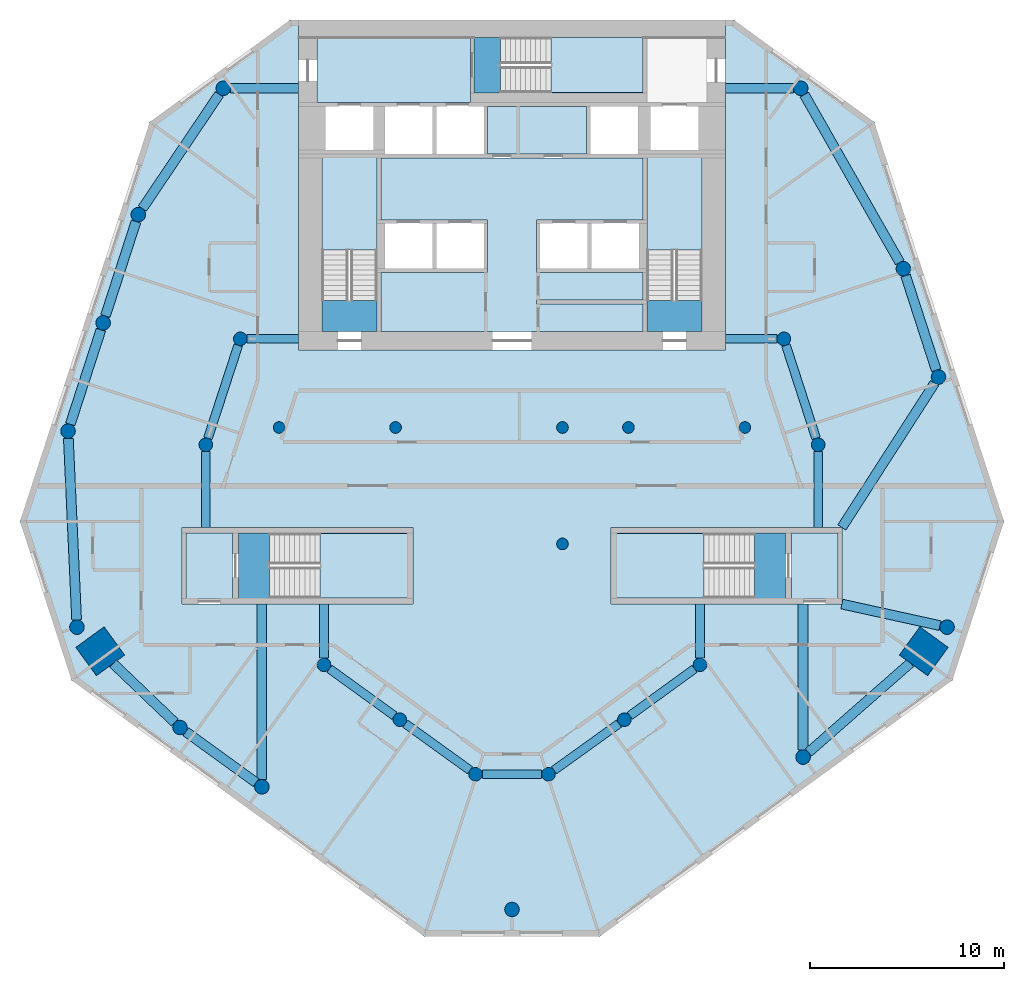
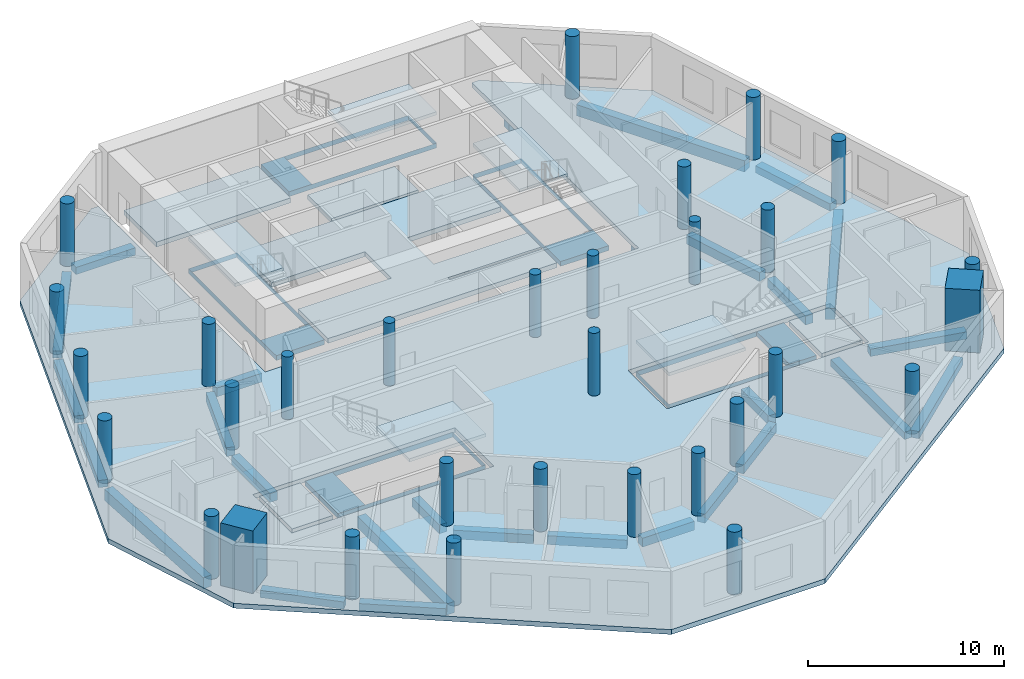
# One storey, part 1 of 9: 31 columns, 28 beams, 16 slabs, 5 elements without a shape of their own.
"""IFC4 building model written with IfcOpenShell, lengths in metres."""

from ifc_helpers import new_model, si_unit, direction, frame, origin, origin_2d, place, context, subcontext, project, spatial, polyline, rectangle, circle, outline, extrude, material, layer, layer_set, material_profile, profile_set, type_object, element, aggregate, save


model = new_model("IFC4")

# Units and contexts
model_context = context("Model", 3, precision=1e-05, world=origin(), true_north=direction((0.0, 1.0)))
body_context = subcontext(model_context, "Body", "Model", "MODEL_VIEW")
ifc_project = project(units=[si_unit("LENGTHUNIT", "METRE"), si_unit("AREAUNIT", "SQUARE_METRE"), si_unit("VOLUMEUNIT", "CUBIC_METRE"), si_unit("PLANEANGLEUNIT", "RADIAN"), si_unit("MASSUNIT", "GRAM", prefix="KILO")], contexts=[model_context])

# Site, building, storey
site_placement = place(None, origin())
site = spatial("IfcSite", under=ifc_project, at=site_placement, CompositionType="ELEMENT")
building_placement = place(site_placement, origin())
building = spatial("IfcBuilding", under=site, at=building_placement, Name="White Candle Pilgrim Tower", CompositionType="ELEMENT")
storey_placement = place(building_placement, frame((0.0, 0.0, 164.199951171875)))
storey = spatial("IfcBuildingStorey", under=building, at=storey_placement, Name="L37", CompositionType="ELEMENT", Elevation=164.199951171875)

# Columns
ifc_material_1 = material(Name="Concrete C70/85", Category="concrete")
ifc_material_profile_1 = material_profile(ifc_material_1, circle(Radius=0.300048828125, at=origin_2d()), Name="RC-COL D600")
ifc_profile_set_1 = profile_set([ifc_material_profile_1], Name="Concrete C70/85")
column_type_1 = type_object("IfcColumnType", Name="Interior column RC-COL D600 C70/85", PredefinedType="COLUMN", material=ifc_profile_set_1)
for number, where, z_axis, x_axis, name in (
    (1, (58.0, 67.0, 0.0), (0.0, 0.0, 1.0), (1.0, 0.0, 0.0), "L37 column I01"),
    (2, (64.0, 67.0, 0.0), (0.0, 0.0, 1.0), (1.0, 0.0, 0.0), "L37 column I02"),
    (3, (72.60009765625, 61.0, 0.0), (0.0, 0.0, 1.0), (1.0, 0.0, 0.0), "L37 column I03"),
    (4, (72.60009765625, 67.0, 0.0), (0.0, 0.0, 1.0), (1.0, 0.0, 0.0), "L37 column I04"),
    (5, (76.0, 67.0, 0.0), (0.0, 0.0, 1.0), (1.0, 0.0, 0.0), "L37 column I05"),
    (6, (82.0, 67.0, 0.0), (0.0, 0.0, 1.0), (1.0, 0.0, 0.0), "L37 column I06"),
):
    element("IfcColumn", number, at=place(storey_placement, frame(where, z_axis=z_axis, x_axis=x_axis)), inside=storey, type_object=column_type_1, Name=name, PredefinedType="COLUMN", context=body_context, shape_type="SweptSolid", body=[
        extrude(circle(Radius=0.300048828125, at=origin_2d()), origin(), (0.0, 0.0, 1.0), 3.900146484375),
    ])
ifc_material_profile_2 = material_profile(ifc_material_1, rectangle(XDim=1.800048828125, YDim=1.800048828125, at=origin_2d()), Name="RC 1800x1800")
ifc_profile_set_2 = profile_set([ifc_material_profile_2], Name="Concrete C70/85")
column_type_2 = type_object("IfcColumnType", Name="Mega column RC 1800x1800 C70/85", PredefinedType="COLUMN", material=ifc_profile_set_2)
for number, where, z_axis, x_axis, name in (
    (7, (48.780029296875, 55.469970703125, 0.0), (0.0, 0.0, 1.0), (-0.809016994375, -0.587785252292, 0.0), "L37 mega column T02"),
    (8, (91.219970703125, 55.469970703125, 0.0), (0.0, 0.0, 1.0), (0.809016994375, -0.587785252292, 0.0), "L37 mega column T07"),
):
    element("IfcColumn", number, at=place(storey_placement, frame(where, z_axis=z_axis, x_axis=x_axis)), inside=storey, type_object=column_type_2, Name=name, PredefinedType="COLUMN", context=body_context, shape_type="SweptSolid", body=[
        extrude(rectangle(XDim=1.800048828125, YDim=1.800048828125, at=origin_2d()), origin(), (0.0, 0.0, 1.0), 3.900146484375),
    ])
ifc_material_profile_3 = material_profile(ifc_material_1, circle(Radius=0.375, at=origin_2d()), Name="RC-COL D750")
ifc_profile_set_3 = profile_set([ifc_material_profile_3], Name="Concrete C70/85")
column_type_3 = type_object("IfcColumnType", Name="Perimeter column RC-COL D750 C70/85", PredefinedType="COLUMN", material=ifc_profile_set_3)
for number, where, z_axis, x_axis, name in (
    (9, (47.580078125, 56.7099609375, 0.0), (0.0, 0.0, 1.0), (1.0, 0.0, 0.0), "L37 column T01"),
    (10, (52.889892578125, 51.5400390625, 0.0), (0.0, 0.0, 1.0), (1.0, 0.0, 0.0), "L37 column T03"),
    (11, (57.110107421875, 48.47998046875, 0.0), (0.0, 0.0, 1.0), (1.0, 0.0, 0.0), "L37 column T04"),
    (12, (70.0, 42.159912109375, 0.0), (0.0, 0.0, 1.0), (1.0, 0.0, 0.0), "L37 column T05"),
    (13, (85.0, 50.010009765625, 0.0), (0.0, 0.0, 1.0), (1.0, 0.0, 0.0), "L37 column T06"),
    (14, (92.419921875, 56.7099609375, 0.0), (0.0, 0.0, 1.0), (1.0, 0.0, 0.0), "L37 column T08"),
    (15, (91.97998046875, 69.60009765625, 0.0), (0.0, 0.0, 1.0), (1.0, 0.0, 0.0), "L37 column T09"),
    (16, (90.169921875, 75.179931640625, 0.0), (0.0, 0.0, 1.0), (1.0, 0.0, 0.0), "L37 column T10"),
    (17, (84.8798828125, 84.47998046875, 0.0), (0.0, 0.0, 1.0), (1.0, 0.0, 0.0), "L37 column T11"),
    (18, (55.1201171875, 84.47998046875, 0.0), (0.0, 0.0, 1.0), (1.0, 0.0, 0.0), "L37 column T12"),
    (19, (50.739990234375, 77.969970703125, 0.0), (0.0, 0.0, 1.0), (1.0, 0.0, 0.0), "L37 column T13"),
    (20, (48.929931640625, 72.389892578125, 0.0), (0.0, 0.0, 1.0), (1.0, 0.0, 0.0), "L37 column T14"),
    (21, (47.1201171875, 66.81005859375, 0.0), (0.0, 0.0, 1.0), (1.0, 0.0, 0.0), "L37 column T15"),
):
    element("IfcColumn", number, at=place(storey_placement, frame(where, z_axis=z_axis, x_axis=x_axis)), inside=storey, type_object=column_type_3, Name=name, PredefinedType="COLUMN", context=body_context, shape_type="SweptSolid", body=[
        extrude(circle(Radius=0.375, at=origin_2d()), origin(), (0.0, 0.0, 1.0), 3.900146484375),
    ])
ifc_material_profile_4 = material_profile(ifc_material_1, circle(Radius=0.35009765625, at=origin_2d()), Name="RC-COL D700")
ifc_profile_set_4 = profile_set([ifc_material_profile_4], Name="Concrete C70/85")
column_type_4 = type_object("IfcColumnType", Name="Ring column RC-COL D700 C70/85", PredefinedType="COLUMN", material=ifc_profile_set_4)
for number, where, z_axis, x_axis, name in (
    (22, (60.31005859375, 54.77001953125, 0.0), (0.0, 0.0, 1.0), (1.0, 0.0, 0.0), "L37 column R01"),
    (23, (64.219970703125, 51.93994140625, 0.0), (0.0, 0.0, 1.0), (1.0, 0.0, 0.0), "L37 column R02"),
    (24, (68.1201171875, 49.1298828125, 0.0), (0.0, 0.0, 1.0), (1.0, 0.0, 0.0), "L37 column R03"),
    (25, (71.8798828125, 49.1298828125, 0.0), (0.0, 0.0, 1.0), (1.0, 0.0, 0.0), "L37 column R04"),
    (26, (75.7900390625, 51.93994140625, 0.0), (0.0, 0.0, 1.0), (1.0, 0.0, 0.0), "L37 column R05"),
    (27, (79.68994140625, 54.77001953125, 0.0), (0.0, 0.0, 1.0), (1.0, 0.0, 0.0), "L37 column R06"),
    (28, (85.780029296875, 66.110107421875, 0.0), (0.0, 0.0, 1.0), (1.0, 0.0, 0.0), "L37 column R07"),
    (29, (84.010009765625, 71.570068359375, 0.0), (0.0, 0.0, 1.0), (1.0, 0.0, 0.0), "L37 column R08"),
    (30, (56.0, 71.570068359375, 0.0), (0.0, 0.0, 1.0), (1.0, 0.0, 0.0), "L37 column R09"),
    (31, (54.219970703125, 66.110107421875, 0.0), (0.0, 0.0, 1.0), (1.0, 0.0, 0.0), "L37 column R10"),
):
    element("IfcColumn", number, at=place(storey_placement, frame(where, z_axis=z_axis, x_axis=x_axis)), inside=storey, type_object=column_type_4, Name=name, PredefinedType="COLUMN", context=body_context, shape_type="SweptSolid", body=[
        extrude(circle(Radius=0.35009765625, at=origin_2d()), origin(), (0.0, 0.0, 1.0), 3.900146484375),
    ])

# Beams
ifc_material_2 = material(Name="Concrete C50/60", Category="concrete")
ifc_material_profile_5 = material_profile(ifc_material_2, rectangle(XDim=0.449951171875, YDim=0.550048828125, at=origin_2d()), Name="RC-BM 450x550")
ifc_profile_set_5 = profile_set([ifc_material_profile_5], Name="Concrete C50/60")
beam_type_1 = type_object("IfcBeamType", Name="Ring beam RC-BM 450x550 C50/60", PredefinedType="BEAM", material=ifc_profile_set_5)
beam_1_placement = place(storey_placement, frame((60.593505859375, 54.56494140625, -0.574951171875), z_axis=(0.810043858436, -0.586369292691, 0.0), x_axis=(0.586369292691, 0.810043858436, 0.0)))
element("IfcBeam", 32, at=beam_1_placement, inside=storey, type_object=beam_type_1, Name="L37 ring beam R01", PredefinedType="BEAM", context=body_context, shape_type="SweptSolid", body=[
    extrude(rectangle(XDim=0.449951171875, YDim=0.550048828125, at=origin_2d()), origin(), (0.0, 0.0, 1.0), 4.126953125),
])
beam_2_placement = place(storey_placement, frame((64.50390625, 51.735595703125, -0.574951171875), z_axis=(0.811316688041, -0.584606903574, 0.0), x_axis=(0.584606903574, 0.811316688041, 0.0)))
element("IfcBeam", 33, at=beam_2_placement, inside=storey, type_object=beam_type_1, Name="L37 ring beam R02", PredefinedType="BEAM", context=body_context, shape_type="SweptSolid", body=[
    extrude(rectangle(XDim=0.449951171875, YDim=0.550048828125, at=origin_2d()), origin(), (0.0, 0.0, 1.0), 4.107177734375),
])
beam_3_placement = place(storey_placement, frame((68.469970703125, 49.1298828125, -0.574951171875), z_axis=(1.0, 0.0, 0.0), x_axis=(0.0, 1.0, 0.0)))
element("IfcBeam", 34, at=beam_3_placement, inside=storey, type_object=beam_type_1, Name="L37 ring beam R03", PredefinedType="BEAM", context=body_context, shape_type="SweptSolid", body=[
    extrude(rectangle(XDim=0.449951171875, YDim=0.550048828125, at=origin_2d()), origin(), (0.0, 0.0, 1.0), 3.06005859375),
])
beam_4_placement = place(storey_placement, frame((72.1640625, 49.333984375, -0.574951171875), z_axis=(0.812022399974, 0.583626269063, 0.0), x_axis=(-0.583626269063, 0.812022399974, 0.0)))
element("IfcBeam", 35, at=beam_4_placement, inside=storey, type_object=beam_type_1, Name="L37 ring beam R04", PredefinedType="BEAM", context=body_context, shape_type="SweptSolid", body=[
    extrude(rectangle(XDim=0.449951171875, YDim=0.550048828125, at=origin_2d()), origin(), (0.0, 0.0, 1.0), 4.115478515625),
])
beam_5_placement = place(storey_placement, frame((76.072998046875, 52.1455078125, -0.574951171875), z_axis=(0.809401961177, 0.587255025728, 0.0), x_axis=(-0.587255025728, 0.809401961177, 0.0)))
element("IfcBeam", 36, at=beam_5_placement, inside=storey, type_object=beam_type_1, Name="L37 ring beam R05", PredefinedType="BEAM", context=body_context, shape_type="SweptSolid", body=[
    extrude(rectangle(XDim=0.449951171875, YDim=0.550048828125, at=origin_2d()), origin(), (0.0, 0.0, 1.0), 4.119140625),
])
beam_6_placement = place(storey_placement, frame((79.68994140625, 55.1201171875, -0.574951171875), z_axis=(0.0, 1.0, 0.0), x_axis=(-1.0, 0.0, 0.0)))
element("IfcBeam", 37, at=beam_6_placement, inside=storey, type_object=beam_type_1, Name="L37 ring beam R06", PredefinedType="BEAM", context=body_context, shape_type="SweptSolid", body=[
    extrude(rectangle(XDim=0.449951171875, YDim=0.550048828125, at=origin_2d()), origin(), (0.0, 0.0, 1.0), 2.77978515625),
])
beam_7_placement = place(storey_placement, frame((85.780029296875, 65.760009765625, -0.574951171875), z_axis=(0.0, -1.0, 0.0), x_axis=(1.0, 0.0, 0.0)))
element("IfcBeam", 38, at=beam_7_placement, inside=storey, type_object=beam_type_1, Name="L37 ring beam R07", PredefinedType="BEAM", context=body_context, shape_type="SweptSolid", body=[
    extrude(rectangle(XDim=0.449951171875, YDim=0.550048828125, at=origin_2d()), origin(), (0.0, 0.0, 1.0), 3.909912109375),
])
beam_8_placement = place(storey_placement, frame((85.672119140625, 66.44287109375, -0.574951171875), z_axis=(-0.308369651752, 0.95126660715, 0.0), x_axis=(-0.95126660715, -0.308369651752, 0.0)))
element("IfcBeam", 39, at=beam_8_placement, inside=storey, type_object=beam_type_1, Name="L37 ring beam R08", PredefinedType="BEAM", context=body_context, shape_type="SweptSolid", body=[
    extrude(rectangle(XDim=0.449951171875, YDim=0.550048828125, at=origin_2d()), origin(), (0.0, 0.0, 1.0), 5.0400390625),
])
beam_9_placement = place(storey_placement, frame((83.659912109375, 71.570068359375, -0.574951171875), z_axis=(-1.0, 0.0, 0.0), x_axis=(0.0, -1.0, 0.0)))
element("IfcBeam", 40, at=beam_9_placement, inside=storey, type_object=beam_type_1, Name="L37 ring beam R09", PredefinedType="BEAM", context=body_context, shape_type="SweptSolid", body=[
    extrude(rectangle(XDim=0.449951171875, YDim=0.550048828125, at=origin_2d()), origin(), (0.0, 0.0, 1.0), 2.659912109375),
])
beam_10_placement = place(storey_placement, frame((56.35009765625, 71.570068359375, -0.574951171875), z_axis=(1.0, 0.0, 0.0), x_axis=(0.0, 1.0, 0.0)))
element("IfcBeam", 41, at=beam_10_placement, inside=storey, type_object=beam_type_1, Name="L37 ring beam R10", PredefinedType="BEAM", context=body_context, shape_type="SweptSolid", body=[
    extrude(rectangle(XDim=0.449951171875, YDim=0.550048828125, at=origin_2d()), origin(), (0.0, 0.0, 1.0), 2.64990234375),
])
beam_11_placement = place(storey_placement, frame((55.8916015625, 71.2373046875, -0.574951171875), z_axis=(-0.309975890104, -0.950744417577, 0.0), x_axis=(0.950744417577, -0.309975890104, 0.0)))
element("IfcBeam", 42, at=beam_11_placement, inside=storey, type_object=beam_type_1, Name="L37 ring beam R11", PredefinedType="BEAM", context=body_context, shape_type="SweptSolid", body=[
    extrude(rectangle(XDim=0.449951171875, YDim=0.550048828125, at=origin_2d()), origin(), (0.0, 0.0, 1.0), 5.04296875),
])
beam_12_placement = place(storey_placement, frame((54.219970703125, 65.760009765625, -0.574951171875), z_axis=(0.0, -1.0, 0.0), x_axis=(1.0, 0.0, 0.0)))
element("IfcBeam", 43, at=beam_12_placement, inside=storey, type_object=beam_type_1, Name="L37 ring beam R12", PredefinedType="BEAM", context=body_context, shape_type="SweptSolid", body=[
    extrude(rectangle(XDim=0.449951171875, YDim=0.550048828125, at=origin_2d()), origin(), (0.0, 0.0, 1.0), 3.909912109375),
])
beam_13_placement = place(storey_placement, frame((60.31005859375, 55.1201171875, -0.574951171875), z_axis=(0.0, 1.0, 0.0), x_axis=(-1.0, 0.0, 0.0)))
element("IfcBeam", 44, at=beam_13_placement, inside=storey, type_object=beam_type_1, Name="L37 ring beam R13", PredefinedType="BEAM", context=body_context, shape_type="SweptSolid", body=[
    extrude(rectangle(XDim=0.449951171875, YDim=0.550048828125, at=origin_2d()), origin(), (0.0, 0.0, 1.0), 2.77978515625),
])
ifc_material_profile_6 = material_profile(ifc_material_2, rectangle(XDim=0.5, YDim=0.449951171875, at=origin_2d()), Name="RC-BM 500x450")
ifc_profile_set_6 = profile_set([ifc_material_profile_6], Name="Concrete C50/60")
beam_type_2 = type_object("IfcBeamType", Name="Spandrel beam RC-BM 500x450 C50/60", PredefinedType="BEAM", material=ifc_profile_set_6)
beam_14_placement = place(storey_placement, frame((49.441162109375, 54.837890625, -0.52490234375), z_axis=(0.722753991569, -0.691105395487, 0.0), x_axis=(0.691105395487, 0.722753991569, 0.0)))
element("IfcBeam", 45, at=beam_14_placement, inside=storey, type_object=beam_type_2, Name="L37 spandrel beam T01", PredefinedType="BEAM", context=body_context, shape_type="SweptSolid", body=[
    extrude(rectangle(XDim=0.5, YDim=0.449951171875, at=origin_2d()), origin(), (0.0, 0.0, 1.0), 4.39697265625),
])
beam_15_placement = place(storey_placement, frame((53.193359375, 51.320068359375, -0.52490234375), z_axis=(0.809558451789, -0.587039277338, 0.0), x_axis=(0.587039277338, 0.809558451789, 0.0)))
element("IfcBeam", 46, at=beam_15_placement, inside=storey, type_object=beam_type_2, Name="L37 spandrel beam T02", PredefinedType="BEAM", context=body_context, shape_type="SweptSolid", body=[
    extrude(rectangle(XDim=0.5, YDim=0.449951171875, at=origin_2d()), origin(), (0.0, 0.0, 1.0), 4.46337890625),
])
beam_16_placement = place(storey_placement, frame((85.0, 50.385009765625, -0.52490234375), z_axis=(0.0, 1.0, 0.0), x_axis=(-1.0, 0.0, 0.0)))
element("IfcBeam", 47, at=beam_16_placement, inside=storey, type_object=beam_type_2, Name="L37 spandrel beam T04", PredefinedType="BEAM", context=body_context, shape_type="SweptSolid", body=[
    extrude(rectangle(XDim=0.5, YDim=0.449951171875, at=origin_2d()), origin(), (0.0, 0.0, 1.0), 7.514892578125),
])
beam_17_placement = place(storey_placement, frame((85.28173828125, 50.25732421875, -0.52490234375), z_axis=(0.751529055224, 0.65969999178, 0.0), x_axis=(-0.65969999178, 0.751529055224, 0.0)))
element("IfcBeam", 48, at=beam_17_placement, inside=storey, type_object=beam_type_2, Name="L37 spandrel beam T05", PredefinedType="BEAM", context=body_context, shape_type="SweptSolid", body=[
    extrude(rectangle(XDim=0.5, YDim=0.449951171875, at=origin_2d()), origin(), (0.0, 0.0, 1.0), 6.97900390625),
])
beam_18_placement = place(storey_placement, frame((92.053955078125, 56.790283203125, -0.52490234375), z_axis=(-0.976735666267, 0.214446819148, 0.0), x_axis=(-0.214446819148, -0.976735666267, 0.0)))
element("IfcBeam", 49, at=beam_18_placement, inside=storey, type_object=beam_type_2, Name="L37 spandrel beam T06", PredefinedType="BEAM", context=body_context, shape_type="SweptSolid", body=[
    extrude(rectangle(XDim=0.5, YDim=0.449951171875, at=origin_2d()), origin(), (0.0, 0.0, 1.0), 5.17431640625),
])
beam_19_placement = place(storey_placement, frame((91.8642578125, 69.95654296875, -0.52490234375), z_axis=(-0.308530369215, 0.951214492779, 0.0), x_axis=(-0.951214492779, -0.308530369215, 0.0)))
element("IfcBeam", 50, at=beam_19_placement, inside=storey, type_object=beam_type_2, Name="L37 spandrel beam T08", PredefinedType="BEAM", context=body_context, shape_type="SweptSolid", body=[
    extrude(rectangle(XDim=0.5, YDim=0.449951171875, at=origin_2d()), origin(), (0.0, 0.0, 1.0), 5.116455078125),
])
for number, where, z_axis, x_axis, name in (
    (51, (84.5048828125, 84.47998046875, -0.52490234375), (-1.0, 0.0, 0.0), (0.0, -1.0, 0.0), "L37 spandrel beam T10"),
    (52, (55.4951171875, 84.47998046875, -0.52490234375), (1.0, 0.0, 0.0), (0.0, 1.0, 0.0), "L37 spandrel beam T11"),
):
    element("IfcBeam", number, at=place(storey_placement, frame(where, z_axis=z_axis, x_axis=x_axis)), inside=storey, type_object=beam_type_2, Name=name, PredefinedType="BEAM", context=body_context, shape_type="SweptSolid", body=[
        extrude(rectangle(XDim=0.5, YDim=0.449951171875, at=origin_2d()), origin(), (0.0, 0.0, 1.0), 3.5048828125),
    ])
beam_20_placement = place(storey_placement, frame((54.91064453125, 84.1689453125, -0.52490234375), z_axis=(-0.55822018442, -0.82969285022, 0.0), x_axis=(0.82969285022, -0.55822018442, 0.0)))
element("IfcBeam", 53, at=beam_20_placement, inside=storey, type_object=beam_type_2, Name="L37 spandrel beam T12", PredefinedType="BEAM", context=body_context, shape_type="SweptSolid", body=[
    extrude(rectangle(XDim=0.5, YDim=0.449951171875, at=origin_2d()), origin(), (0.0, 0.0, 1.0), 7.096435546875),
])
beam_21_placement = place(storey_placement, frame((50.624267578125, 77.61328125, -0.52490234375), z_axis=(-0.308544373382, -0.951209950355, 0.0), x_axis=(0.951209950355, -0.308544373382, 0.0)))
element("IfcBeam", 54, at=beam_21_placement, inside=storey, type_object=beam_type_2, Name="L37 spandrel beam T13", PredefinedType="BEAM", context=body_context, shape_type="SweptSolid", body=[
    extrude(rectangle(XDim=0.5, YDim=0.449951171875, at=origin_2d()), origin(), (0.0, 0.0, 1.0), 5.1162109375),
])
beam_22_placement = place(storey_placement, frame((48.814208984375, 72.033447265625, -0.52490234375), z_axis=(-0.308530369215, -0.951214492779, 0.0), x_axis=(0.951214492779, -0.308530369215, 0.0)))
element("IfcBeam", 55, at=beam_22_placement, inside=storey, type_object=beam_type_2, Name="L37 spandrel beam T14", PredefinedType="BEAM", context=body_context, shape_type="SweptSolid", body=[
    extrude(rectangle(XDim=0.5, YDim=0.449951171875, at=origin_2d()), origin(), (0.0, 0.0, 1.0), 5.116455078125),
])
ifc_material_profile_7 = material_profile(ifc_material_2, rectangle(XDim=0.5, YDim=0.699951171875, at=origin_2d()), Name="RC-BM 500x700")
ifc_profile_set_7 = profile_set([ifc_material_profile_7], Name="Concrete C50/60")
beam_type_3 = type_object("IfcBeamType", Name="Spandrel beam RC-BM 500x700 C50/60", PredefinedType="BEAM", material=ifc_profile_set_7)
beam_23_placement = place(storey_placement, frame((57.110107421875, 48.85498046875, -0.64990234375), z_axis=(0.0, 1.0, 0.0), x_axis=(-1.0, 0.0, 0.0)))
element("IfcBeam", 56, at=beam_23_placement, inside=storey, type_object=beam_type_3, Name="L37 spandrel beam T03", PredefinedType="BEAM", context=body_context, shape_type="SweptSolid", body=[
    extrude(rectangle(XDim=0.5, YDim=0.699951171875, at=origin_2d()), origin(), (0.0, 0.0, 1.0), 9.044921875),
])
beam_24_placement = place(storey_placement, frame((91.77734375, 69.28466796875, -0.64990234375), z_axis=(-0.540595612128, -0.841282582815, 0.0), x_axis=(0.841282582815, -0.540595612128, 0.0)))
element("IfcBeam", 57, at=beam_24_placement, inside=storey, type_object=beam_type_3, Name="L37 spandrel beam T07", PredefinedType="BEAM", context=body_context, shape_type="SweptSolid", body=[
    extrude(rectangle(XDim=0.5, YDim=0.699951171875, at=origin_2d()), origin(), (0.0, 0.0, 1.0), 8.837158203125),
])
beam_25_placement = place(storey_placement, frame((89.984619140625, 75.505859375, -0.64990234375), z_axis=(-0.494422929515, 0.869221471646, 0.0), x_axis=(-0.869221471646, -0.494422929515, 0.0)))
element("IfcBeam", 58, at=beam_25_placement, inside=storey, type_object=beam_type_3, Name="L37 spandrel beam T09", PredefinedType="BEAM", context=body_context, shape_type="SweptSolid", body=[
    extrude(rectangle(XDim=0.5, YDim=0.699951171875, at=origin_2d()), origin(), (0.0, 0.0, 1.0), 9.949462890625),
])
beam_26_placement = place(storey_placement, frame((47.13720703125, 66.435546875, -0.64990234375), z_axis=(0.045485743277, -0.998964987954, 0.0), x_axis=(0.998964987954, 0.045485743277, 0.0)))
element("IfcBeam", 59, at=beam_26_placement, inside=storey, type_object=beam_type_3, Name="L37 spandrel beam T15", PredefinedType="BEAM", context=body_context, shape_type="SweptSolid", body=[
    extrude(rectangle(XDim=0.5, YDim=0.699951171875, at=origin_2d()), origin(), (0.0, 0.0, 1.0), 9.36083984375),
])

# Slabs
ifc_material_3 = material(Name="Concrete C40/50", Category="concrete")
ifc_layer_1 = layer(ifc_material_3, 0.300048828125)
ifc_layer_set_1 = layer_set([ifc_layer_1], Name="Core floor slab 300 mm Concrete C40/50")
slab_type_1 = type_object("IfcSlabType", Name="Core floor slab 300 mm Concrete C40/50", PredefinedType="FLOOR", material=ifc_layer_set_1)
slab_1_placement = place(storey_placement, frame((0.0, 0.0, -0.300048828125)))
element("IfcSlab", 60, at=slab_1_placement, inside=storey, type_object=slab_type_1, Name="CF-L37-01", PredefinedType="FLOOR", context=body_context, shape_type="SweptSolid", body=[
    extrude(outline(polyline([(55.60009765625, 58.199951171875), (53.199951171875, 58.199951171875), (53.199951171875, 61.550048828125), (55.60009765625, 61.550048828125), (55.60009765625, 58.199951171875)])), origin(), (0.0, 0.0, 1.0), 0.300048828125),
])
slab_2_placement = place(storey_placement, frame((0.0, 0.0, -0.300048828125)))
element("IfcSlab", 61, at=slab_2_placement, inside=storey, type_object=slab_type_1, Name="CF-L37-02", PredefinedType="FLOOR", context=body_context, shape_type="SweptSolid", body=[
    extrude(outline(polyline([(55.89990234375, 58.199951171875), (55.89990234375, 61.550048828125), (64.60009765625, 61.550048828125), (64.60009765625, 58.199951171875), (55.89990234375, 58.199951171875)]), holes=[polyline([(57.501953125, 61.548095703125), (57.501953125, 58.201904296875), (64.597900390625, 58.201904296875), (64.597900390625, 61.548095703125), (57.501953125, 61.548095703125)])]), origin(), (0.0, 0.0, 1.0), 0.300048828125),
])
slab_3_placement = place(storey_placement, frame((0.0, 0.0, -0.300048828125)))
element("IfcSlab", 62, at=slab_3_placement, inside=storey, type_object=slab_type_1, Name="CF-L37-03", PredefinedType="FLOOR", context=body_context, shape_type="SweptSolid", body=[
    extrude(outline(polyline([(75.39990234375, 58.199951171875), (75.39990234375, 61.550048828125), (84.10009765625, 61.550048828125), (84.10009765625, 58.199951171875), (75.39990234375, 58.199951171875)]), holes=[polyline([(82.498046875, 58.201904296875), (82.498046875, 61.548095703125), (75.402099609375, 61.548095703125), (75.402099609375, 58.201904296875), (82.498046875, 58.201904296875)])]), origin(), (0.0, 0.0, 1.0), 0.300048828125),
])
slab_4_placement = place(storey_placement, frame((0.0, 0.0, -0.300048828125)))
element("IfcSlab", 63, at=slab_4_placement, inside=storey, type_object=slab_type_1, Name="CF-L37-04", PredefinedType="FLOOR", context=body_context, shape_type="SweptSolid", body=[
    extrude(outline(polyline([(86.800048828125, 58.199951171875), (84.39990234375, 58.199951171875), (84.39990234375, 61.550048828125), (86.800048828125, 61.550048828125), (86.800048828125, 58.199951171875)])), origin(), (0.0, 0.0, 1.0), 0.300048828125),
])
slab_5_placement = place(storey_placement, frame((0.0, 0.0, -0.300048828125)))
element("IfcSlab", 64, at=slab_5_placement, inside=storey, type_object=slab_type_1, Name="CF-L37-05", PredefinedType="FLOOR", context=body_context, shape_type="SweptSolid", body=[
    extrude(outline(polyline([(76.75, 87.10009765625), (76.75, 87.050048828125), (76.75, 84.25), (68.050048828125, 84.25), (68.050048828125, 87.050048828125), (68.050048828125, 87.10009765625), (76.75, 87.10009765625)]), holes=[polyline([(69.402099609375, 87.097900390625), (69.402099609375, 84.251953125), (76.748046875, 84.251953125), (76.748046875, 87.097900390625), (69.402099609375, 87.097900390625)])]), origin(), (0.0, 0.0, 1.0), 0.300048828125),
])
slab_6_placement = place(storey_placement, frame((0.0, 0.0, -0.300048828125)))
element("IfcSlab", 65, at=slab_6_placement, inside=storey, type_object=slab_type_1, Name="CF-L37-07", PredefinedType="FLOOR", context=body_context, shape_type="SweptSolid", body=[
    extrude(outline(polyline([(76.949951171875, 71.949951171875), (76.949951171875, 73.375), (76.949951171875, 73.574951171875), (76.949951171875, 75.0), (76.949951171875, 75.199951171875), (76.949951171875, 77.5), (76.949951171875, 77.699951171875), (76.949951171875, 80.89990234375), (79.800048828125, 80.89990234375), (79.800048828125, 71.949951171875), (76.949951171875, 71.949951171875)]), holes=[polyline([(76.951904296875, 73.552001953125), (79.798095703125, 73.552001953125), (79.798095703125, 80.89794921875), (76.951904296875, 80.89794921875), (76.951904296875, 73.552001953125)])]), origin(), (0.0, 0.0, 1.0), 0.300048828125),
])
slab_7_placement = place(storey_placement, frame((0.0, 0.0, -0.300048828125)))
element("IfcSlab", 66, at=slab_7_placement, inside=storey, type_object=slab_type_1, Name="CF-L37-08", PredefinedType="FLOOR", context=body_context, shape_type="SweptSolid", body=[
    extrude(outline(polyline([(63.25, 71.949951171875), (63.25, 75.0), (68.75, 75.0), (68.75, 75.199951171875), (68.75, 77.5), (68.75, 77.699951171875), (63.25, 77.699951171875), (63.25, 80.89990234375), (76.75, 80.89990234375), (76.75, 77.699951171875), (71.25, 77.699951171875), (71.25, 77.5), (71.25, 75.199951171875), (71.25, 75.0), (76.75, 75.0), (76.75, 73.574951171875), (71.25, 73.574951171875), (71.25, 73.375), (76.75, 73.375), (76.75, 71.949951171875), (63.25, 71.949951171875)])), origin(), (0.0, 0.0, 1.0), 0.300048828125),
])
slab_8_placement = place(storey_placement, frame((0.0, 0.0, -0.300048828125)))
element("IfcSlab", 67, at=slab_8_placement, inside=storey, type_object=slab_type_1, Name="CF-L37-09", PredefinedType="FLOOR", context=body_context, shape_type="SweptSolid", body=[
    extrude(outline(polyline([(60.199951171875, 71.949951171875), (60.199951171875, 80.89990234375), (63.050048828125, 80.89990234375), (63.050048828125, 77.699951171875), (63.050048828125, 77.5), (63.050048828125, 75.199951171875), (63.050048828125, 75.0), (63.050048828125, 71.949951171875), (60.199951171875, 71.949951171875)]), holes=[polyline([(60.201904296875, 73.552001953125), (63.048095703125, 73.552001953125), (63.048095703125, 80.89794921875), (60.201904296875, 80.89794921875), (60.201904296875, 73.552001953125)])]), origin(), (0.0, 0.0, 1.0), 0.300048828125),
])
slab_9_placement = place(storey_placement, frame((0.0, 0.0, -0.300048828125)))
element("IfcSlab", 68, at=slab_9_placement, inside=storey, type_object=slab_type_1, Name="CF-L37-10", PredefinedType="FLOOR", context=body_context, shape_type="SweptSolid", body=[
    extrude(outline(polyline([(59.949951171875, 87.050048828125), (67.85009765625, 87.050048828125), (67.85009765625, 84.25), (67.85009765625, 83.75), (59.949951171875, 83.75), (59.949951171875, 87.050048828125)])), origin(), (0.0, 0.0, 1.0), 0.300048828125),
])
slab_10_placement = place(storey_placement, frame((0.0, 0.0, -0.300048828125)))
element("IfcSlab", 69, at=slab_10_placement, inside=storey, type_object=slab_type_1, Name="CF-L37-11", PredefinedType="FLOOR", context=body_context, shape_type="SweptSolid", body=[
    extrude(outline(polyline([(73.85009765625, 83.550048828125), (73.85009765625, 81.10009765625), (68.75, 81.10009765625), (68.75, 83.550048828125), (73.85009765625, 83.550048828125)])), origin(), (0.0, 0.0, 1.0), 0.300048828125),
])
ifc_layer_2 = layer(ifc_material_3, 0.300048828125)
ifc_layer_set_2 = layer_set([ifc_layer_2], Name="Floor slab 300 REI 120")
slab_type_2 = type_object("IfcSlabType", Name="Floor slab 300 REI 120", PredefinedType="FLOOR", material=ifc_layer_set_2)
slab_11_placement = place(storey_placement, frame((0.0, 0.0, -0.300048828125)))
element("IfcSlab", 70, at=slab_11_placement, inside=storey, type_object=slab_type_2, Name="L37 floor slab", PredefinedType="FLOOR", context=body_context, shape_type="SweptSolid", body=[
    extrude(outline(polyline([(65.47265625, 40.772216796875), (74.52734375, 40.772216796875), (92.6953125, 53.97216796875), (95.355224609375, 62.158447265625), (88.6650390625, 82.74853515625), (81.43701171875, 88.0), (81.0, 88.0), (81.0, 71.0), (59.0, 71.0), (59.0, 88.0), (58.56298828125, 88.0), (51.3349609375, 82.74853515625), (44.644775390625, 62.158447265625), (47.3046875, 53.97216796875), (65.47265625, 40.772216796875)]), holes=[polyline([(53.0, 57.89990234375), (53.0, 61.85009765625), (64.89990234375, 61.85009765625), (64.89990234375, 57.89990234375), (53.0, 57.89990234375)]), polyline([(75.10009765625, 57.89990234375), (75.10009765625, 61.85009765625), (87.0, 61.85009765625), (87.0, 57.89990234375), (75.10009765625, 57.89990234375)])]), origin(), (0.0, 0.0, 1.0), 0.300048828125),
])

# Stair, slab
stair_type_1 = type_object("IfcStairType", Name="Exit stair 1 flight width 1350 mm", PredefinedType="HALF_TURN_STAIR", material=ifc_material_3)
stair_1_placement = place(storey_placement, origin())
stair_1 = element("IfcStair", 71, at=stair_1_placement, inside=storey, type_object=stair_type_1, Name="L37 stair 1", PredefinedType="NOTDEFINED")
ifc_layer_3 = layer(ifc_material_3, 0.199951171875)
ifc_layer_set_3 = layer_set([ifc_layer_3], Name="Stair landing Concrete C40/50")
slab_type_3 = type_object("IfcSlabType", Name="Stair landing Concrete C40/50", PredefinedType="LANDING", material=ifc_layer_set_3)
slab_12_placement = place(storey_placement, frame((0.0, 0.0, 1.75)))
slab_12 = element("IfcSlab", 72, at=slab_12_placement, type_object=slab_type_3, Name="ST1 landing 1", PredefinedType="LANDING", context=body_context, shape_type="SweptSolid", body=[
    extrude(outline(polyline([(63.052001953125, 76.14794921875), (60.197998046875, 76.14794921875), (60.197998046875, 80.902099609375), (63.052001953125, 80.902099609375), (63.052001953125, 76.14794921875)])), origin(), (0.0, 0.0, 1.0), 0.199951171875),
])
aggregate(stair_1, [slab_12])

stair_type_2 = type_object("IfcStairType", Name="Exit stair 2 flight width 1350 mm", PredefinedType="HALF_TURN_STAIR", material=ifc_material_3)
stair_2_placement = place(storey_placement, origin())
stair_2 = element("IfcStair", 73, at=stair_2_placement, inside=storey, type_object=stair_type_2, Name="L37 stair 2", PredefinedType="NOTDEFINED")
slab_13_placement = place(storey_placement, frame((0.0, 0.0, 1.75)))
slab_13 = element("IfcSlab", 74, at=slab_13_placement, type_object=slab_type_3, Name="ST2 landing 1", PredefinedType="LANDING", context=body_context, shape_type="SweptSolid", body=[
    extrude(outline(polyline([(79.802001953125, 76.14794921875), (76.947998046875, 76.14794921875), (76.947998046875, 80.902099609375), (79.802001953125, 80.902099609375), (79.802001953125, 76.14794921875)])), origin(), (0.0, 0.0, 1.0), 0.199951171875),
])
aggregate(stair_2, [slab_13])

stair_type_3 = type_object("IfcStairType", Name="Exit stair 3 flight width 1350 mm", PredefinedType="HALF_TURN_STAIR", material=ifc_material_3)
stair_3_placement = place(storey_placement, origin())
stair_3 = element("IfcStair", 75, at=stair_3_placement, inside=storey, type_object=stair_type_3, Name="L37 stair 3", PredefinedType="NOTDEFINED")
slab_14_placement = place(storey_placement, frame((0.0, 0.0, 1.75)))
slab_14 = element("IfcSlab", 76, at=slab_14_placement, type_object=slab_type_3, Name="ST3 landing 1", PredefinedType="LANDING", context=body_context, shape_type="SweptSolid", body=[
    extrude(outline(polyline([(71.998046875, 84.248046875), (71.998046875, 87.10205078125), (76.751953125, 87.10205078125), (76.751953125, 84.248046875), (71.998046875, 84.248046875)])), origin(), (0.0, 0.0, 1.0), 0.199951171875),
])
aggregate(stair_3, [slab_14])

stair_type_4 = type_object("IfcStairType", Name="Exit stair 4 flight width 1600 mm", PredefinedType="HALF_TURN_STAIR", material=ifc_material_3)
stair_4_placement = place(storey_placement, origin())
stair_4 = element("IfcStair", 77, at=stair_4_placement, inside=storey, type_object=stair_type_4, Name="L37 stair 4", PredefinedType="NOTDEFINED")
slab_15_placement = place(storey_placement, frame((0.0, 0.0, 1.75)))
slab_15 = element("IfcSlab", 78, at=slab_15_placement, type_object=slab_type_3, Name="ST4 landing 1", PredefinedType="LANDING", context=body_context, shape_type="SweptSolid", body=[
    extrude(outline(polyline([(79.902099609375, 61.552001953125), (79.902099609375, 58.197998046875), (75.39794921875, 58.197998046875), (75.39794921875, 61.552001953125), (79.902099609375, 61.552001953125)])), origin(), (0.0, 0.0, 1.0), 0.199951171875),
])
aggregate(stair_4, [slab_15])

stair_type_5 = type_object("IfcStairType", Name="Exit stair 5 flight width 1600 mm", PredefinedType="HALF_TURN_STAIR", material=ifc_material_3)
stair_5_placement = place(storey_placement, origin())
stair_5 = element("IfcStair", 79, at=stair_5_placement, inside=storey, type_object=stair_type_5, Name="L37 stair 5", PredefinedType="NOTDEFINED")
slab_16_placement = place(storey_placement, frame((0.0, 0.0, 1.75)))
slab_16 = element("IfcSlab", 80, at=slab_16_placement, type_object=slab_type_3, Name="ST5 landing 1", PredefinedType="LANDING", context=body_context, shape_type="SweptSolid", body=[
    extrude(outline(polyline([(60.097900390625, 58.197998046875), (60.097900390625, 61.552001953125), (64.60205078125, 61.552001953125), (64.60205078125, 58.197998046875), (60.097900390625, 58.197998046875)])), origin(), (0.0, 0.0, 1.0), 0.199951171875),
])
aggregate(stair_5, [slab_16])

save(model, "model.ifc")
